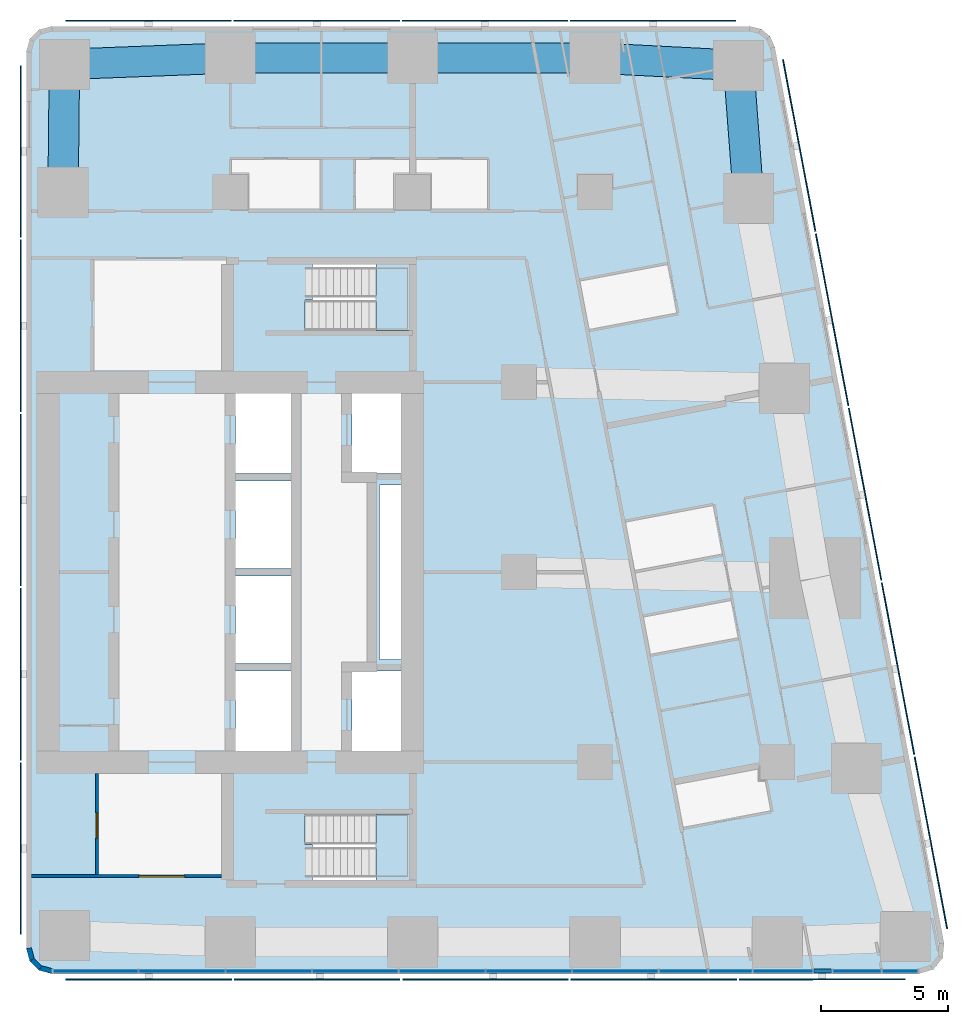
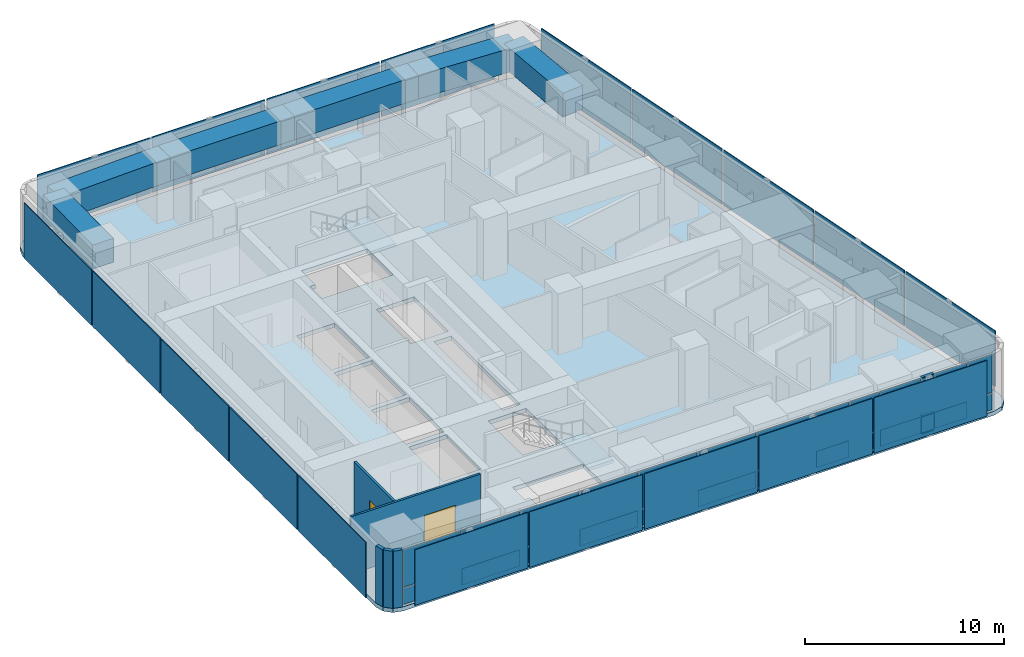
# One storey, part 4 of 11: 45 plates, 6 beams, 5 walls, 3 members, 3 slabs, 2 doors, 2 openings, 3 elements without a shape of their own.
"""IFC4 building model written with IfcOpenShell, lengths in metres."""

from ifc_helpers import new_model, si_unit, direction, frame, frame_2d, origin, origin_2d, place, context, subcontext, project, spatial, polyline, rectangle, outline, extrude, material, layer, layer_set, material_profile, profile_set, type_object, element, fill, aggregate, save


model = new_model("IFC4")

# Units and contexts
model_context = context("Model", 3, precision=1e-05, world=origin(), true_north=direction((0.0, 1.0)))
body_context = subcontext(model_context, "Body", "Model", "MODEL_VIEW")
ifc_project = project(units=[si_unit("LENGTHUNIT", "METRE"), si_unit("AREAUNIT", "SQUARE_METRE"), si_unit("VOLUMEUNIT", "CUBIC_METRE"), si_unit("PLANEANGLEUNIT", "RADIAN"), si_unit("MASSUNIT", "GRAM", prefix="KILO")], contexts=[model_context])

# Site, building, storey
site_placement = place(None, origin())
site = spatial("IfcSite", under=ifc_project, at=site_placement, CompositionType="ELEMENT")
building_placement = place(site_placement, origin())
building = spatial("IfcBuilding", under=site, at=building_placement, Name="Sheger Commons Tower", CompositionType="ELEMENT")
storey_placement = place(building_placement, frame((0.0, 0.0, 281.60009765625)))
storey = spatial("IfcBuildingStorey", under=building, at=storey_placement, Name="L72", CompositionType="ELEMENT", Elevation=281.60009765625)

# Beams
ifc_material_1 = material(Name="Concrete C50/60", Category="concrete")
ifc_material_profile_1 = material_profile(ifc_material_1, rectangle(XDim=1.199951171875, YDim=1.449951171875, at=origin_2d()), Name="RC 1200x1450")
ifc_profile_set_1 = profile_set([ifc_material_profile_1], Name="Concrete C50/60")
beam_type = type_object("IfcBeamType", Name="SPANDREL RC 1200x1450", PredefinedType="SPANDREL", material=ifc_profile_set_1)
beam_1_placement = place(storey_placement, frame((42.06396484375, 37.262939453125, 2.77490234375), z_axis=(-0.075496345854, 0.997146078447, 0.0), x_axis=(-0.997146078447, -0.075496345854, 0.0)))
element("IfcBeam", 1, at=beam_1_placement, inside=storey, type_object=beam_type, Name="Beam E/F-E/G-1.8 under L73", PredefinedType="SPANDREL", context=body_context, shape_type="SweptSolid", body=[
    extrude(rectangle(XDim=1.199951171875, YDim=1.449951171875, at=origin_2d()), origin(), (0.0, 0.0, 1.0), 5.258056640625),
])
beam_2_placement = place(storey_placement, frame((41.6669921875, 42.506103515625, 2.77490234375), z_axis=(-0.998657474351, 0.051800086124, 0.0), x_axis=(-0.051800086124, -0.998657474351, 0.0)))
element("IfcBeam", 2, at=beam_2_placement, inside=storey, type_object=beam_type, Name="Beam E/G-1.8-6/G-1.8 under L73", PredefinedType="SPANDREL", context=body_context, shape_type="SweptSolid", body=[
    extrude(rectangle(XDim=1.199951171875, YDim=1.449951171875, at=origin_2d()), origin(), (0.0, 0.0, 1.0), 5.674560546875),
])
for number, where, z_axis, x_axis, name in (
    (3, (36.0, 42.800048828125, 2.77490234375), (-1.0, 0.0, 0.0), (0.0, -1.0, 0.0), "Beam 6/G-1.8-5/G-1.8 under L73"),
    (4, (28.800048828125, 42.800048828125, 2.77490234375), (-1.0, 0.0, 0.0), (0.0, -1.0, 0.0), "Beam 5/G-1.8-4/G-1.8 under L73"),
):
    element("IfcBeam", number, at=place(storey_placement, frame(where, z_axis=z_axis, x_axis=x_axis)), inside=storey, type_object=beam_type, Name=name, PredefinedType="SPANDREL", context=body_context, shape_type="SweptSolid", body=[
        extrude(rectangle(XDim=1.199951171875, YDim=1.449951171875, at=origin_2d()), origin(), (0.0, 0.0, 1.0), 7.199951171875),
    ])
beam_3_placement = place(storey_placement, frame((21.60009765625, 42.800048828125, 2.77490234375), z_axis=(-0.999247181966, -0.038795223079, 0.0), x_axis=(0.038795223079, -0.999247181966, 0.0)))
element("IfcBeam", 5, at=beam_3_placement, inside=storey, type_object=beam_type, Name="Beam 4/G-1.8-3/G-1.8 under L73", PredefinedType="SPANDREL", context=body_context, shape_type="SweptSolid", body=[
    extrude(rectangle(XDim=1.199951171875, YDim=1.449951171875, at=origin_2d()), origin(), (0.0, 0.0, 1.0), 6.551025390625),
])
beam_4_placement = place(storey_placement, frame((15.053955078125, 42.5458984375, 2.77490234375), z_axis=(-0.010692247282, -0.99994283629, 0.0), x_axis=(0.99994283629, -0.010692247282, 0.0)))
element("IfcBeam", 6, at=beam_4_placement, inside=storey, type_object=beam_type, Name="Beam 3/G-1.8-3/F under L73", PredefinedType="SPANDREL", context=body_context, shape_type="SweptSolid", body=[
    extrude(rectangle(XDim=1.199951171875, YDim=1.449951171875, at=origin_2d()), origin(), (0.0, 0.0, 1.0), 5.046142578125),
])

# Curtain wall, members, plates
ifc_material_2 = material(Name="Black aluminium curtain wall, dark tinted glazing", Category="aluminium")
curtain_wall_type = type_object("IfcCurtainWallType", Name="CURTAIN WALL CW5 SOUTH GALLERY", PredefinedType="USERDEFINED", material=ifc_material_2)
curtain_wall_placement = place(storey_placement, origin())
curtain_wall = element("IfcCurtainWall", 7, at=curtain_wall_placement, inside=storey, type_object=curtain_wall_type, Name="Curtain Wall Cw5 South Gallery S1 L72", ObjectType="UNITISED CURTAIN WALL", PredefinedType="USERDEFINED")
ifc_material_3 = material(Name="Black anodised aluminium", Category="aluminium")
ifc_material_profile_2 = material_profile(ifc_material_3, rectangle(XDim=0.14990234375, YDim=0.06494140625, at=origin_2d()), Name="AL 65x150")
ifc_profile_set_2 = profile_set([ifc_material_profile_2], Name="Black anodised aluminium")
member_type = type_object("IfcMemberType", Name="TRANSOM AL 65x150", PredefinedType="USERDEFINED", material=ifc_profile_set_2)
member_1_placement = place(storey_placement, frame((44.638427734375, 6.75, 0.032470703125), z_axis=(1.0, 0.0, 0.0), x_axis=(0.0, 1.0, 0.0)))
member_1 = element("IfcMember", 8, at=member_1_placement, type_object=member_type, Name="CW5 transom 11.1", ObjectType="TRANSOM", PredefinedType="USERDEFINED", context=body_context, shape_type="SweptSolid", body=[
    extrude(rectangle(XDim=0.14990234375, YDim=0.06494140625, at=origin_2d()), origin(), (0.0, 0.0, 1.0), 0.694091796875),
])
member_2_placement = place(storey_placement, frame((44.638427734375, 6.75, 1.099853515625), z_axis=(1.0, 0.0, 0.0), x_axis=(0.0, 1.0, 0.0)))
member_2 = element("IfcMember", 9, at=member_2_placement, type_object=member_type, Name="CW5 transom 11.2", ObjectType="TRANSOM", PredefinedType="USERDEFINED", context=body_context, shape_type="SweptSolid", body=[
    extrude(rectangle(XDim=0.14990234375, YDim=0.06494140625, at=origin_2d()), origin(), (0.0, 0.0, 1.0), 0.694091796875),
])
member_3_placement = place(storey_placement, frame((44.638427734375, 6.75, 3.46728515625), z_axis=(1.0, 0.0, 0.0), x_axis=(0.0, 1.0, 0.0)))
member_3 = element("IfcMember", 10, at=member_3_placement, type_object=member_type, Name="CW5 transom 11.3", ObjectType="TRANSOM", PredefinedType="USERDEFINED", context=body_context, shape_type="SweptSolid", body=[
    extrude(rectangle(XDim=0.14990234375, YDim=0.06494140625, at=origin_2d()), origin(), (0.0, 0.0, 1.0), 0.694091796875),
])
ifc_material_4 = material(Name="Dark tinted double glazing", Category="glass")
ifc_layer_1 = layer(ifc_material_4, 0.031982421875)
ifc_layer_set_1 = layer_set([ifc_layer_1], Name="GLAZED PANEL 32")
plate_type_1 = type_object("IfcPlateType", Name="GLAZED PANEL 32", PredefinedType="CURTAIN_PANEL", material=ifc_layer_set_1)
plate_1_placement = place(storey_placement, frame((16.290283203125, 6.75, 0.06494140625), z_axis=(0.0, 0.0, 1.0), x_axis=(1.0, 0.0, 0.0)))
plate_1 = element("IfcPlate", 11, at=plate_1_placement, type_object=plate_type_1, Name="CW5 panel 1.1", PredefinedType="CURTAIN_PANEL", context=body_context, shape_type="SweptSolid", body=[
    extrude(rectangle(XDim=3.324462890625, YDim=0.031982421875, at=origin_2d()), origin(), (0.0, 0.0, 1.0), 1.00244140625),
])
plate_2_placement = place(storey_placement, frame((16.290283203125, 6.75, 1.13232421875), z_axis=(0.0, 0.0, 1.0), x_axis=(1.0, 0.0, 0.0)))
plate_2 = element("IfcPlate", 12, at=plate_2_placement, type_object=plate_type_1, Name="CW5 panel 1.2", PredefinedType="CURTAIN_PANEL", context=body_context, shape_type="SweptSolid", body=[
    extrude(rectangle(XDim=3.324462890625, YDim=0.031982421875, at=origin_2d()), origin(), (0.0, 0.0, 1.0), 2.302490234375),
])
plate_3_placement = place(storey_placement, frame((19.696533203125, 6.75, 0.06494140625), z_axis=(0.0, 0.0, 1.0), x_axis=(1.0, 0.0, 0.0)))
plate_3 = element("IfcPlate", 13, at=plate_3_placement, type_object=plate_type_1, Name="CW5 panel 2.1", PredefinedType="CURTAIN_PANEL", context=body_context, shape_type="SweptSolid", body=[
    extrude(rectangle(XDim=3.35791015625, YDim=0.031982421875, at=origin_2d()), origin(), (0.0, 0.0, 1.0), 1.00244140625),
])
plate_4_placement = place(storey_placement, frame((19.696533203125, 6.75, 1.13232421875), z_axis=(0.0, 0.0, 1.0), x_axis=(1.0, 0.0, 0.0)))
plate_4 = element("IfcPlate", 14, at=plate_4_placement, type_object=plate_type_1, Name="CW5 panel 2.2", PredefinedType="CURTAIN_PANEL", context=body_context, shape_type="SweptSolid", body=[
    extrude(rectangle(XDim=3.35791015625, YDim=0.031982421875, at=origin_2d()), origin(), (0.0, 0.0, 1.0), 2.302490234375),
])
plate_5_placement = place(storey_placement, frame((23.118896484375, 6.75, 0.06494140625), z_axis=(0.0, 0.0, 1.0), x_axis=(1.0, 0.0, 0.0)))
plate_5 = element("IfcPlate", 15, at=plate_5_placement, type_object=plate_type_1, Name="CW5 panel 3.1", PredefinedType="CURTAIN_PANEL", context=body_context, shape_type="SweptSolid", body=[
    extrude(rectangle(XDim=3.35693359375, YDim=0.031982421875, at=origin_2d()), origin(), (0.0, 0.0, 1.0), 1.00244140625),
])
plate_6_placement = place(storey_placement, frame((23.118896484375, 6.75, 1.13232421875), z_axis=(0.0, 0.0, 1.0), x_axis=(1.0, 0.0, 0.0)))
plate_6 = element("IfcPlate", 16, at=plate_6_placement, type_object=plate_type_1, Name="CW5 panel 3.2", PredefinedType="CURTAIN_PANEL", context=body_context, shape_type="SweptSolid", body=[
    extrude(rectangle(XDim=3.35693359375, YDim=0.031982421875, at=origin_2d()), origin(), (0.0, 0.0, 1.0), 2.302490234375),
])
plate_7_placement = place(storey_placement, frame((26.54150390625, 6.75, 0.06494140625), z_axis=(0.0, 0.0, 1.0), x_axis=(1.0, 0.0, 0.0)))
plate_7 = element("IfcPlate", 17, at=plate_7_placement, type_object=plate_type_1, Name="CW5 panel 4.1", PredefinedType="CURTAIN_PANEL", context=body_context, shape_type="SweptSolid", body=[
    extrude(rectangle(XDim=3.35791015625, YDim=0.031982421875, at=origin_2d()), origin(), (0.0, 0.0, 1.0), 1.00244140625),
])
plate_8_placement = place(storey_placement, frame((26.54150390625, 6.75, 1.13232421875), z_axis=(0.0, 0.0, 1.0), x_axis=(1.0, 0.0, 0.0)))
plate_8 = element("IfcPlate", 18, at=plate_8_placement, type_object=plate_type_1, Name="CW5 panel 4.2", PredefinedType="CURTAIN_PANEL", context=body_context, shape_type="SweptSolid", body=[
    extrude(rectangle(XDim=3.35791015625, YDim=0.031982421875, at=origin_2d()), origin(), (0.0, 0.0, 1.0), 2.302490234375),
])
plate_9_placement = place(storey_placement, frame((29.964111328125, 6.75, 0.06494140625), z_axis=(0.0, 0.0, 1.0), x_axis=(1.0, 0.0, 0.0)))
plate_9 = element("IfcPlate", 19, at=plate_9_placement, type_object=plate_type_1, Name="CW5 panel 5.1", PredefinedType="CURTAIN_PANEL", context=body_context, shape_type="SweptSolid", body=[
    extrude(rectangle(XDim=3.35693359375, YDim=0.031982421875, at=origin_2d()), origin(), (0.0, 0.0, 1.0), 1.00244140625),
])
plate_10_placement = place(storey_placement, frame((29.964111328125, 6.75, 1.13232421875), z_axis=(0.0, 0.0, 1.0), x_axis=(1.0, 0.0, 0.0)))
plate_10 = element("IfcPlate", 20, at=plate_10_placement, type_object=plate_type_1, Name="CW5 panel 5.2", PredefinedType="CURTAIN_PANEL", context=body_context, shape_type="SweptSolid", body=[
    extrude(rectangle(XDim=3.35693359375, YDim=0.031982421875, at=origin_2d()), origin(), (0.0, 0.0, 1.0), 2.302490234375),
])
plate_11_placement = place(storey_placement, frame((33.385986328125, 6.75, 0.06494140625), z_axis=(0.0, 0.0, 1.0), x_axis=(1.0, 0.0, 0.0)))
plate_11 = element("IfcPlate", 21, at=plate_11_placement, type_object=plate_type_1, Name="CW5 panel 6.1", PredefinedType="CURTAIN_PANEL", context=body_context, shape_type="SweptSolid", body=[
    extrude(rectangle(XDim=3.35693359375, YDim=0.031982421875, at=origin_2d()), origin(), (0.0, 0.0, 1.0), 1.00244140625),
])
plate_12_placement = place(storey_placement, frame((33.385986328125, 6.75, 1.13232421875), z_axis=(0.0, 0.0, 1.0), x_axis=(1.0, 0.0, 0.0)))
plate_12 = element("IfcPlate", 22, at=plate_12_placement, type_object=plate_type_1, Name="CW5 panel 6.2", PredefinedType="CURTAIN_PANEL", context=body_context, shape_type="SweptSolid", body=[
    extrude(rectangle(XDim=3.35693359375, YDim=0.031982421875, at=origin_2d()), origin(), (0.0, 0.0, 1.0), 2.302490234375),
])
plate_13_placement = place(storey_placement, frame((36.80859375, 6.75, 0.06494140625), z_axis=(0.0, 0.0, 1.0), x_axis=(1.0, 0.0, 0.0)))
plate_13 = element("IfcPlate", 23, at=plate_13_placement, type_object=plate_type_1, Name="CW5 panel 7.1", PredefinedType="CURTAIN_PANEL", context=body_context, shape_type="SweptSolid", body=[
    extrude(rectangle(XDim=3.35791015625, YDim=0.031982421875, at=origin_2d()), origin(), (0.0, 0.0, 1.0), 1.00244140625),
])
plate_14_placement = place(storey_placement, frame((36.80859375, 6.75, 1.13232421875), z_axis=(0.0, 0.0, 1.0), x_axis=(1.0, 0.0, 0.0)))
plate_14 = element("IfcPlate", 24, at=plate_14_placement, type_object=plate_type_1, Name="CW5 panel 7.2", PredefinedType="CURTAIN_PANEL", context=body_context, shape_type="SweptSolid", body=[
    extrude(rectangle(XDim=3.35791015625, YDim=0.031982421875, at=origin_2d()), origin(), (0.0, 0.0, 1.0), 2.302490234375),
])
plate_15_placement = place(storey_placement, frame((39.4970703125, 6.75, 0.06494140625), z_axis=(0.0, 0.0, 1.0), x_axis=(1.0, 0.0, 0.0)))
plate_15 = element("IfcPlate", 25, at=plate_15_placement, type_object=plate_type_1, Name="CW5 panel 8.1", PredefinedType="CURTAIN_PANEL", context=body_context, shape_type="SweptSolid", body=[
    extrude(rectangle(XDim=1.888916015625, YDim=0.031982421875, at=origin_2d()), origin(), (0.0, 0.0, 1.0), 1.00244140625),
])
plate_16_placement = place(storey_placement, frame((39.4970703125, 6.75, 1.13232421875), z_axis=(0.0, 0.0, 1.0), x_axis=(1.0, 0.0, 0.0)))
plate_16 = element("IfcPlate", 26, at=plate_16_placement, type_object=plate_type_1, Name="CW5 panel 8.2", PredefinedType="CURTAIN_PANEL", context=body_context, shape_type="SweptSolid", body=[
    extrude(rectangle(XDim=1.888916015625, YDim=0.031982421875, at=origin_2d()), origin(), (0.0, 0.0, 1.0), 2.302490234375),
])
plate_17_placement = place(storey_placement, frame((41.35107421875, 6.75, 0.06494140625), z_axis=(0.0, 0.0, 1.0), x_axis=(1.0, 0.0, 0.0)))
plate_17 = element("IfcPlate", 27, at=plate_17_placement, type_object=plate_type_1, Name="CW5 panel 9.1", PredefinedType="CURTAIN_PANEL", context=body_context, shape_type="SweptSolid", body=[
    extrude(rectangle(XDim=1.68896484375, YDim=0.031982421875, at=origin_2d()), origin(), (0.0, 0.0, 1.0), 1.00244140625),
])
plate_18_placement = place(storey_placement, frame((41.35107421875, 6.75, 1.13232421875), z_axis=(0.0, 0.0, 1.0), x_axis=(1.0, 0.0, 0.0)))
plate_18 = element("IfcPlate", 28, at=plate_18_placement, type_object=plate_type_1, Name="CW5 panel 9.2", PredefinedType="CURTAIN_PANEL", context=body_context, shape_type="SweptSolid", body=[
    extrude(rectangle(XDim=1.68896484375, YDim=0.031982421875, at=origin_2d()), origin(), (0.0, 0.0, 1.0), 2.302490234375),
])
plate_19_placement = place(storey_placement, frame((43.4169921875, 6.75, 0.06494140625), z_axis=(0.0, 0.0, 1.0), x_axis=(1.0, 0.0, 0.0)))
plate_19 = element("IfcPlate", 29, at=plate_19_placement, type_object=plate_type_1, Name="CW5 panel 10.1", PredefinedType="CURTAIN_PANEL", context=body_context, shape_type="SweptSolid", body=[
    extrude(rectangle(XDim=2.31298828125, YDim=0.031982421875, at=origin_2d()), origin(), (0.0, 0.0, 1.0), 1.00244140625),
])
plate_20_placement = place(storey_placement, frame((43.4169921875, 6.75, 1.13232421875), z_axis=(0.0, 0.0, 1.0), x_axis=(1.0, 0.0, 0.0)))
plate_20 = element("IfcPlate", 30, at=plate_20_placement, type_object=plate_type_1, Name="CW5 panel 10.2", PredefinedType="CURTAIN_PANEL", context=body_context, shape_type="SweptSolid", body=[
    extrude(rectangle(XDim=2.31298828125, YDim=0.031982421875, at=origin_2d()), origin(), (0.0, 0.0, 1.0), 2.302490234375),
])
plate_21_placement = place(storey_placement, frame((44.985595703125, 6.75, 0.06494140625), z_axis=(0.0, 0.0, 1.0), x_axis=(1.0, 0.0, 0.0)))
plate_21 = element("IfcPlate", 31, at=plate_21_placement, type_object=plate_type_1, Name="CW5 panel 11.1", PredefinedType="CURTAIN_PANEL", context=body_context, shape_type="SweptSolid", body=[
    extrude(rectangle(XDim=0.694091796875, YDim=0.031982421875, at=origin_2d()), origin(), (0.0, 0.0, 1.0), 1.00244140625),
])
plate_22_placement = place(storey_placement, frame((44.985595703125, 6.75, 1.13232421875), z_axis=(0.0, 0.0, 1.0), x_axis=(1.0, 0.0, 0.0)))
plate_22 = element("IfcPlate", 32, at=plate_22_placement, type_object=plate_type_1, Name="CW5 panel 11.2", PredefinedType="CURTAIN_PANEL", context=body_context, shape_type="SweptSolid", body=[
    extrude(rectangle(XDim=0.694091796875, YDim=0.031982421875, at=origin_2d()), origin(), (0.0, 0.0, 1.0), 2.302490234375),
])
plate_23_placement = place(storey_placement, frame((46.342041015625, 6.75, 0.06494140625), z_axis=(0.0, 0.0, 1.0), x_axis=(1.0, 0.0, 0.0)))
plate_23 = element("IfcPlate", 33, at=plate_23_placement, type_object=plate_type_1, Name="CW5 panel 12.1", PredefinedType="CURTAIN_PANEL", context=body_context, shape_type="SweptSolid", body=[
    extrude(rectangle(XDim=1.888916015625, YDim=0.031982421875, at=origin_2d()), origin(), (0.0, 0.0, 1.0), 1.00244140625),
])
plate_24_placement = place(storey_placement, frame((46.342041015625, 6.75, 1.13232421875), z_axis=(0.0, 0.0, 1.0), x_axis=(1.0, 0.0, 0.0)))
plate_24 = element("IfcPlate", 34, at=plate_24_placement, type_object=plate_type_1, Name="CW5 panel 12.2", PredefinedType="CURTAIN_PANEL", context=body_context, shape_type="SweptSolid", body=[
    extrude(rectangle(XDim=1.888916015625, YDim=0.031982421875, at=origin_2d()), origin(), (0.0, 0.0, 1.0), 2.302490234375),
])
plate_25_placement = place(storey_placement, frame((48.036865234375, 6.75, 0.06494140625), z_axis=(0.0, 0.0, 1.0), x_axis=(1.0, 0.0, 0.0)))
plate_25 = element("IfcPlate", 35, at=plate_25_placement, type_object=plate_type_1, Name="CW5 panel 13.1", PredefinedType="CURTAIN_PANEL", context=body_context, shape_type="SweptSolid", body=[
    extrude(rectangle(XDim=1.37060546875, YDim=0.031982421875, at=origin_2d()), origin(), (0.0, 0.0, 1.0), 1.00244140625),
])
plate_26_placement = place(storey_placement, frame((48.036865234375, 6.75, 1.13232421875), z_axis=(0.0, 0.0, 1.0), x_axis=(1.0, 0.0, 0.0)))
plate_26 = element("IfcPlate", 36, at=plate_26_placement, type_object=plate_type_1, Name="CW5 panel 13.2", PredefinedType="CURTAIN_PANEL", context=body_context, shape_type="SweptSolid", body=[
    extrude(rectangle(XDim=1.37060546875, YDim=0.031982421875, at=origin_2d()), origin(), (0.0, 0.0, 1.0), 2.302490234375),
])
aggregate(curtain_wall, [plate_1, plate_2, plate_3, plate_4, plate_5, plate_6, plate_7, plate_8, plate_9, plate_10, plate_11, plate_12, plate_13, plate_14, plate_15, plate_16, plate_17, plate_18, plate_19, plate_20, member_1, member_2, member_3, plate_21, plate_22, plate_23, plate_24, plate_25, plate_26])

# Slab
ifc_material_5 = material(Name="Concrete C35/45", Category="concrete")
ifc_layer_2 = layer(ifc_material_5, 0.25)
ifc_layer_set_2 = layer_set([ifc_layer_2], Name="SLAB FLOOR 250")
slab_type_1 = type_object("IfcSlabType", Name="SLAB FLOOR 250", PredefinedType="FLOOR", material=ifc_layer_set_2)
slab_1_placement = place(storey_placement, frame((0.0, 0.0, -0.25)))
element("IfcSlab", 37, at=slab_1_placement, inside=storey, type_object=slab_type_1, Name="L72 floor slab", PredefinedType="FLOOR", context=body_context, shape_type="SweptSolid", body=[
    extrude(outline(polyline([(13.550048828125, 7.64990234375), (13.68408203125, 7.14990234375), (14.050048828125, 6.783935546875), (14.550048828125, 6.64990234375), (48.802001953125, 6.64990234375), (49.35498046875, 6.81689453125), (49.72412109375, 7.260986328125), (49.784912109375, 7.8359375), (43.097900390625, 43.236083984375), (42.912109375, 43.654052734375), (42.56005859375, 43.945068359375), (42.114990234375, 44.050048828125), (14.550048828125, 44.050048828125), (14.050048828125, 43.916015625), (13.68408203125, 43.550048828125), (13.550048828125, 43.050048828125), (13.550048828125, 7.64990234375)]), holes=[polyline([(24.85009765625, 10.35009765625), (28.64990234375, 10.35009765625), (28.64990234375, 12.949951171875), (24.551025390625, 12.949951171875), (24.551025390625, 11.75), (24.85009765625, 11.75), (24.85009765625, 10.35009765625)]), polyline([(24.551025390625, 32.050048828125), (28.64990234375, 32.050048828125), (28.64990234375, 34.64990234375), (24.85009765625, 34.64990234375), (24.85009765625, 33.25), (24.551025390625, 33.25), (24.551025390625, 32.050048828125)]), polyline([(26.39990234375, 15.14990234375), (28.60009765625, 15.14990234375), (28.60009765625, 18.60009765625), (26.39990234375, 18.60009765625), (26.39990234375, 15.14990234375)]), polyline([(26.39990234375, 26.39990234375), (28.60009765625, 26.39990234375), (28.60009765625, 29.85009765625), (26.39990234375, 29.85009765625), (26.39990234375, 26.39990234375)]), polyline([(21.800048828125, 15.14990234375), (24.0, 15.14990234375), (24.0, 18.60009765625), (21.800048828125, 18.60009765625), (21.800048828125, 15.14990234375)]), polyline([(21.800048828125, 18.89990234375), (24.0, 18.89990234375), (24.0, 22.35009765625), (21.800048828125, 22.35009765625), (21.800048828125, 18.89990234375)]), polyline([(21.800048828125, 22.64990234375), (24.0, 22.64990234375), (24.0, 26.10009765625), (21.800048828125, 26.10009765625), (21.800048828125, 22.64990234375)]), polyline([(21.800048828125, 26.39990234375), (24.0, 26.39990234375), (24.0, 29.85009765625), (21.800048828125, 29.85009765625), (21.800048828125, 26.39990234375)]), polyline([(27.5, 19.050048828125), (28.5, 19.050048828125), (28.5, 25.949951171875), (27.5, 25.949951171875), (27.5, 19.050048828125)])]), origin(), (0.0, 0.0, 1.0), 0.25),
])

# Plates
ifc_material_6 = material(Name="Perforated black anodised aluminium screen", Category="aluminium")
ifc_layer_3 = layer(ifc_material_6, 0.050048828125)
ifc_layer_set_3 = layer_set([ifc_layer_3], Name="SOLAR SCREEN SCREEN-1")
plate_type_2 = type_object("IfcPlateType", Name="SOLAR SCREEN SCREEN-1", PredefinedType="USERDEFINED", material=ifc_layer_set_3)
for number, where, z_axis, x_axis, name in (
    (38, (18.375, 6.425048828125, 0.050048828125), (0.0, 0.0, 1.0), (1.0, 0.0, 0.0), "Perforated solar screen panel"),
    (39, (25.02587890625, 6.425048828125, 0.050048828125), (0.0, 0.0, 1.0), (1.0, 0.0, 0.0), "Perforated solar screen panel"),
    (40, (31.676025390625, 6.425048828125, 0.050048828125), (0.0, 0.0, 1.0), (1.0, 0.0, 0.0), "Perforated solar screen panel"),
    (41, (38.325927734375, 6.425048828125, 0.050048828125), (0.0, 0.0, 1.0), (1.0, 0.0, 0.0), "Perforated solar screen panel"),
    (42, (44.97705078125, 6.425048828125, 0.050048828125), (0.0, 0.0, 1.0), (1.0, 0.0, 0.0), "Perforated solar screen panel"),
):
    element("IfcPlate", number, at=place(storey_placement, frame(where, z_axis=z_axis, x_axis=x_axis)), inside=storey, type_object=plate_type_2, Name=name, ObjectType="SCREEN", PredefinedType="USERDEFINED", context=body_context, shape_type="SweptSolid", body=[
        extrude(rectangle(XDim=6.550048828125, YDim=0.050048828125, at=origin_2d()), origin(), (0.0, 0.0, 1.0), 3.39990234375),
    ])
for number, where, z_axis, x_axis, name in (
    (43, (49.262939453125, 11.81103515625, 0.050048828125), (0.0, 0.0, 1.0), (-0.185615165645, 0.982622516678, 0.0), "Perforated solar screen panel"),
    (44, (47.962890625, 18.694091796875, 0.050048828125), (0.0, 0.0, 1.0), (-0.185615165645, 0.982622516678, 0.0), "Perforated solar screen panel"),
    (45, (46.6630859375, 25.577880859375, 0.050048828125), (0.0, 0.0, 1.0), (-0.185615165645, 0.982622516678, 0.0), "Perforated solar screen panel"),
    (46, (45.362060546875, 32.4609375, 0.050048828125), (0.0, 0.0, 1.0), (-0.185615165645, 0.982622516678, 0.0), "Perforated solar screen panel"),
    (47, (44.06201171875, 39.344970703125, 0.050048828125), (0.0, 0.0, 1.0), (-0.185615165645, 0.982622516678, 0.0), "Perforated solar screen panel"),
):
    element("IfcPlate", number, at=place(storey_placement, frame(where, z_axis=z_axis, x_axis=x_axis)), inside=storey, type_object=plate_type_2, Name=name, ObjectType="SCREEN", PredefinedType="USERDEFINED", context=body_context, shape_type="SweptSolid", body=[
        extrude(rectangle(XDim=6.905029296875, YDim=0.050048828125, at=origin_2d()), origin(), (0.0, 0.0, 1.0), 3.39990234375),
    ])
for number, where, z_axis, x_axis, name in (
    (48, (38.2939453125, 44.27490234375, 0.050048828125), (0.0, 0.0, 1.0), (-1.0, 0.0, 0.0), "Perforated solar screen panel"),
    (49, (31.653076171875, 44.27490234375, 0.050048828125), (0.0, 0.0, 1.0), (-1.0, 0.0, 0.0), "Perforated solar screen panel"),
    (50, (25.011962890625, 44.27490234375, 0.050048828125), (0.0, 0.0, 1.0), (-1.0, 0.0, 0.0), "Perforated solar screen panel"),
    (51, (18.37109375, 44.27490234375, 0.050048828125), (0.0, 0.0, 1.0), (-1.0, 0.0, 0.0), "Perforated solar screen panel"),
):
    element("IfcPlate", number, at=place(storey_placement, frame(where, z_axis=z_axis, x_axis=x_axis)), inside=storey, type_object=plate_type_2, Name=name, ObjectType="SCREEN", PredefinedType="USERDEFINED", context=body_context, shape_type="SweptSolid", body=[
        extrude(rectangle(XDim=6.541015625, YDim=0.050048828125, at=origin_2d()), origin(), (0.0, 0.0, 1.0), 3.39990234375),
    ])
for number, where, z_axis, x_axis, name in (
    (52, (13.324951171875, 39.110107421875, 0.050048828125), (0.0, 0.0, 1.0), (0.0, -1.0, 0.0), "Perforated solar screen panel"),
    (53, (13.324951171875, 32.22998046875, 0.050048828125), (0.0, 0.0, 1.0), (0.0, -1.0, 0.0), "Perforated solar screen panel"),
    (54, (13.324951171875, 25.35009765625, 0.050048828125), (0.0, 0.0, 1.0), (0.0, -1.0, 0.0), "Perforated solar screen panel"),
    (55, (13.324951171875, 18.469970703125, 0.050048828125), (0.0, 0.0, 1.0), (0.0, -1.0, 0.0), "Perforated solar screen panel"),
    (56, (13.324951171875, 11.590087890625, 0.050048828125), (0.0, 0.0, 1.0), (0.0, -1.0, 0.0), "Perforated solar screen panel"),
):
    element("IfcPlate", number, at=place(storey_placement, frame(where, z_axis=z_axis, x_axis=x_axis)), inside=storey, type_object=plate_type_2, Name=name, ObjectType="SCREEN", PredefinedType="USERDEFINED", context=body_context, shape_type="SweptSolid", body=[
        extrude(rectangle(XDim=6.780029296875, YDim=0.050048828125, at=origin_2d()), origin(), (0.0, 0.0, 1.0), 3.39990234375),
    ])

# Stair, slab
ifc_material_7 = material(Name="Concrete C35/45", Category="concrete")
stair_type = type_object("IfcStairType", Name="HALF-TURN STAIR 1200 RISE 3750", PredefinedType="HALF_TURN_STAIR", material=ifc_material_7)
stair_1_placement = place(storey_placement, origin())
stair_1 = element("IfcStair", 57, at=stair_1_placement, inside=storey, type_object=stair_type, Name="Stair S1 L72", PredefinedType="HALF_TURN_STAIR")
ifc_material_8 = material(Name="Concrete C35/45", Category="concrete")
ifc_layer_4 = layer(ifc_material_8, 0.199951171875)
ifc_layer_set_4 = layer_set([ifc_layer_4], Name="STAIR LANDING 200")
slab_type_2 = type_object("IfcSlabType", Name="STAIR LANDING 200", PredefinedType="LANDING", material=ifc_layer_set_4)
slab_2_placement = place(storey_placement, frame((0.0, 0.0, 1.6748046875)))
slab_2 = element("IfcSlab", 58, at=slab_2_placement, type_object=slab_type_2, Name="S1 landing 1", PredefinedType="LANDING", context=body_context, shape_type="SweptSolid", body=[
    extrude(outline(polyline([(27.35009765625, 10.199951171875), (28.800048828125, 10.199951171875), (28.800048828125, 12.949951171875), (27.35009765625, 12.949951171875), (27.35009765625, 10.199951171875)])), origin(), (0.0, 0.0, 1.0), 0.2001953125),
])
aggregate(stair_1, [slab_2])

stair_2_placement = place(storey_placement, origin())
stair_2 = element("IfcStair", 59, at=stair_2_placement, inside=storey, type_object=stair_type, Name="Stair S2 L72", PredefinedType="HALF_TURN_STAIR")
slab_3_placement = place(storey_placement, frame((0.0, 0.0, 1.6748046875)))
slab_3 = element("IfcSlab", 60, at=slab_3_placement, type_object=slab_type_2, Name="S2 landing 1", PredefinedType="LANDING", context=body_context, shape_type="SweptSolid", body=[
    extrude(outline(polyline([(27.35009765625, 32.050048828125), (28.800048828125, 32.050048828125), (28.800048828125, 34.800048828125), (27.35009765625, 34.800048828125), (27.35009765625, 32.050048828125)])), origin(), (0.0, 0.0, 1.0), 0.2001953125),
])
aggregate(stair_2, [slab_3])

# Walls
ifc_material_9 = material(Name="Rendered concrete block masonry, dark grey", Category="masonry")
ifc_layer_5 = layer(ifc_material_9, 0.199951171875)
ifc_layer_set_5 = layer_set([ifc_layer_5], Name="FACADE WALL 200")
wall_type_1 = type_object("IfcWallType", Name="FACADE WALL 200", PredefinedType="SOLIDWALL", material=ifc_layer_set_5)
wall_1_placement = place(storey_placement, frame((13.64990234375, 7.6630859375, 0.0), z_axis=(0.0, 0.0, 1.0), x_axis=(0.259698463175, -0.965689757751, 0.0)))
element("IfcWall", 61, at=wall_1_placement, inside=storey, type_object=wall_type_1, Name="Facade wall L72", PredefinedType="SOLIDWALL", context=body_context, shape_type="SweptSolid", body=[
    extrude(rectangle(XDim=0.4775390625, YDim=0.199951171875, at=frame_2d((0.23876953125, 0.0))), origin(), (0.0, 0.0, 1.0), 3.5),
])
wall_2_placement = place(storey_placement, frame((13.77392578125, 7.201904296875, 0.0), z_axis=(0.0, 0.0, 1.0), x_axis=(0.707369890659, -0.706843573776, 0.0)))
element("IfcWall", 62, at=wall_2_placement, inside=storey, type_object=wall_type_1, Name="Facade wall L72", PredefinedType="SOLIDWALL", context=body_context, shape_type="SweptSolid", body=[
    extrude(rectangle(XDim=0.4638671875, YDim=0.199951171875, at=frame_2d((0.23193359375, 0.0))), origin(), (0.0, 0.0, 1.0), 3.5),
])
wall_3_placement = place(storey_placement, frame((14.10205078125, 6.8740234375, 0.0), z_axis=(0.0, 0.0, 1.0), x_axis=(0.965655254015, -0.259826731483, 0.0)))
element("IfcWall", 63, at=wall_3_placement, inside=storey, type_object=wall_type_1, Name="Facade wall L72", PredefinedType="SOLIDWALL", context=body_context, shape_type="SweptSolid", body=[
    extrude(rectangle(XDim=0.477294921875, YDim=0.199951171875, at=frame_2d((0.23876953125, 0.0))), origin(), (0.0, 0.0, 1.0), 3.5),
])

# Wall, opening, door
ifc_material_10 = material(Name="Gypsum board on steel studs, two layers each side, fire rated", Category="steel")
ifc_layer_6 = layer(ifc_material_10, 0.125)
ifc_layer_set_6 = layer_set([ifc_layer_6], Name="SERVICE WALL 125")
wall_type_2 = type_object("IfcWallType", Name="SERVICE WALL 125", PredefinedType="PARTITIONING", material=ifc_layer_set_6)
wall_4_placement = place(storey_placement, frame((13.75, 10.5, 0.0), z_axis=(0.0, 0.0, 1.0), x_axis=(1.0, 0.0, 0.0)))
wall_4 = element("IfcWall", 64, at=wall_4_placement, inside=storey, type_object=wall_type_2, Name="Service room wall L72", PredefinedType="PARTITIONING", context=body_context, shape_type="SweptSolid", body=[
    extrude(rectangle(XDim=7.5, YDim=0.125, at=frame_2d((3.75, 0.0))), origin(), (0.0, 0.0, 1.0), 3.5),
])
opening_1_placement = place(wall_4_placement, frame((4.2451171875, 0.0, 0.0)))
opening_1 = element("IfcOpeningElement", 65, at=opening_1_placement, cuts=wall_4, Name="Opening D6", PredefinedType="OPENING", context=body_context, shape_type="SweptSolid", body=[
    extrude(rectangle(XDim=1.800048828125, YDim=2.10009765625, at=frame_2d((0.89990234375, 1.050048828125))), frame((0.0, 0.072509765625, 0.0), z_axis=(0.0, -1.0, 0.0), x_axis=(1.0, 0.0, 0.0)), (0.0, 0.0, 1.0), 0.14501953125),
])
ifc_material_11 = material(Name="Steel door set, fire rated", Category="steel")
door_type_1 = type_object("IfcDoorType", Name="LOBBY DOUBLE DOOR 1800x2100", OperationType="DOUBLE_DOOR_SINGLE_SWING", PredefinedType="DOOR", material=ifc_material_11)
door_1_placement = place(opening_1_placement, origin())
door_1 = element("IfcDoor", 66, at=door_1_placement, inside=storey, type_object=door_type_1, Name="Lift lobby south door", OperationType="DOUBLE_DOOR_SINGLE_SWING", OverallHeight=2.10009765625, OverallWidth=1.800048828125, PredefinedType="DOOR", context=body_context, shape_type="SweptSolid", body=[
    extrude(rectangle(XDim=1.800048828125, YDim=2.10009765625, at=frame_2d((0.89990234375, 1.050048828125))), frame((0.0, 0.02490234375, 0.0), z_axis=(0.0, -1.0, 0.0), x_axis=(1.0, 0.0, 0.0)), (0.0, 0.0, 1.0), 0.050048828125),
])
fill(opening_1, door_1)

wall_5_placement = place(storey_placement, frame((16.340087890625, 10.56201171875, 0.0), z_axis=(0.0, 0.0, 1.0), x_axis=(0.0, 1.0, 0.0)))
wall_5 = element("IfcWall", 67, at=wall_5_placement, inside=storey, type_object=wall_type_2, Name="Service room wall L72", PredefinedType="PARTITIONING", context=body_context, shape_type="SweptSolid", body=[
    extrude(rectangle(XDim=3.988037109375, YDim=0.125, at=frame_2d((1.994140625, 0.0))), origin(), (0.0, 0.0, 1.0), 3.5),
])
opening_2_placement = place(wall_5_placement, frame((1.43798828125, 0.0, 0.0)))
opening_2 = element("IfcOpeningElement", 68, at=opening_2_placement, cuts=wall_5, Name="Opening D4", PredefinedType="OPENING", context=body_context, shape_type="SweptSolid", body=[
    extrude(rectangle(XDim=1.0, YDim=2.10009765625, at=frame_2d((0.5, 1.050048828125))), frame((0.0, 0.072509765625, 0.0), z_axis=(0.0, -1.0, 0.0), x_axis=(1.0, 0.0, 0.0)), (0.0, 0.0, 1.0), 0.14501953125),
])
ifc_material_12 = material(Name="Steel door set, fire rated", Category="steel")
door_type_2 = type_object("IfcDoorType", Name="SERVICE DOOR 1000x2100", OperationType="NOTDEFINED", PredefinedType="DOOR", material=ifc_material_12)
door_2_placement = place(opening_2_placement, origin())
door_2 = element("IfcDoor", 69, at=door_2_placement, inside=storey, type_object=door_type_2, Name="Electrical room door", OperationType="SINGLE_SWING_LEFT", OverallHeight=2.10009765625, OverallWidth=1.0, PredefinedType="DOOR", context=body_context, shape_type="SweptSolid", body=[
    extrude(rectangle(XDim=1.0, YDim=2.10009765625, at=frame_2d((0.5, 1.050048828125))), frame((0.0, 0.02490234375, 0.0), z_axis=(0.0, -1.0, 0.0), x_axis=(1.0, 0.0, 0.0)), (0.0, 0.0, 1.0), 0.050048828125),
])
fill(opening_2, door_2)

save(model, "model.ifc")
